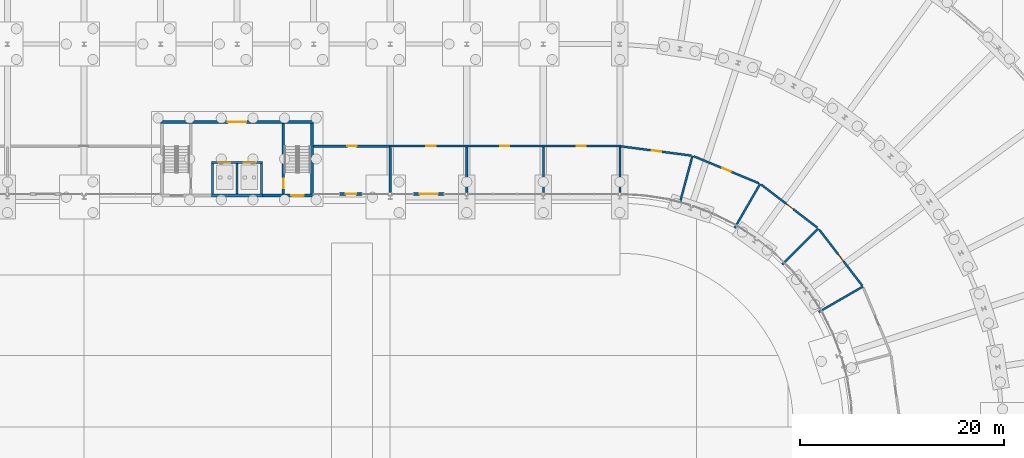
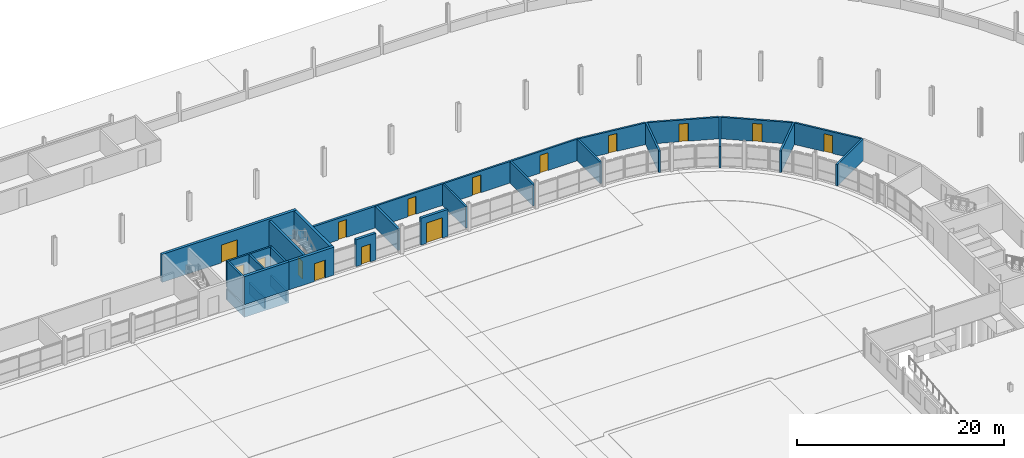
# One storey, part 91 of 130: 30 walls, 15 doors, 15 openings.
"""IFC4 building model written with IfcOpenShell, lengths in metres."""

from ifc_helpers import new_model, si_unit, direction, frame, frame_2d, origin, place, context, subcontext, project, spatial, rectangle, extrude, material, layer, layer_set, type_object, element, fill, save


model = new_model("IFC4")

# Units and contexts
model_context = context("Model", 3, precision=1e-05, world=origin(), true_north=direction((0.0, 1.0)))
body_context = subcontext(model_context, "Body", "Model", "MODEL_VIEW")
ifc_project = project(units=[si_unit("LENGTHUNIT", "METRE"), si_unit("AREAUNIT", "SQUARE_METRE"), si_unit("VOLUMEUNIT", "CUBIC_METRE"), si_unit("PLANEANGLEUNIT", "RADIAN"), si_unit("MASSUNIT", "GRAM", prefix="KILO")], contexts=[model_context])

# Site, building, storey
site_placement = place(None, origin())
site = spatial("IfcSite", under=ifc_project, at=site_placement, CompositionType="ELEMENT")
building_placement = place(site_placement, origin())
building = spatial("IfcBuilding", under=site, at=building_placement, Name="Parallax Yard Mobility Hub", CompositionType="ELEMENT")
storey_placement = place(building_placement, origin())
storey = spatial("IfcBuildingStorey", under=building, at=storey_placement, Name="L00", CompositionType="ELEMENT", Elevation=0.0)

# Wall, opening, door
ifc_material_1 = material(Name="Concrete fc' 35 MPa", Category="concrete")
ifc_layer_1 = layer(ifc_material_1, 0.300048828125)
ifc_layer_set_1 = layer_set([ifc_layer_1], Name="Concrete fc' 35 MPa core wall 300")
wall_type_1 = type_object("IfcWallType", Name="Concrete fc' 35 MPa core wall 300", PredefinedType="SHEAR", material=ifc_layer_set_1)
wall_1_placement = place(storey_placement, frame((127.5, 119.85009765625, 0.0), z_axis=(0.0, 0.0, 1.0), x_axis=(1.0, 0.0, 0.0)))
wall_1 = element("IfcWall", 1, at=wall_1_placement, inside=storey, type_object=wall_type_1, Name="Core C-N2 entry wall level L00", PredefinedType="SHEAR", context=body_context, shape_type="SweptSolid", body=[
    extrude(rectangle(XDim=15.0, YDim=0.300048828125, at=frame_2d((7.5, 0.0))), origin(), (0.0, 0.0, 1.0), 3.300048828125),
])
opening_1_placement = place(wall_1_placement, frame((6.60009765625, 0.0, 0.0)))
opening_1 = element("IfcOpeningElement", 2, at=opening_1_placement, cuts=wall_1, Name="Opening L00-D718", PredefinedType="OPENING", context=body_context, shape_type="SweptSolid", body=[
    extrude(rectangle(XDim=1.800048828125, YDim=2.10009765625, at=frame_2d((0.89990234375, 1.050048828125))), frame((0.0, 0.16015625, 0.0), z_axis=(0.0, -1.0, 0.0), x_axis=(1.0, 0.0, 0.0)), (0.0, 0.0, 1.0), 0.320068359375),
])
ifc_material_2 = material(Name="Hollow metal steel door and frame", Category="steel")
door_type_1 = type_object("IfcDoorType", Name="Core double door 1800 x 2100 FD90", OperationType="NOTDEFINED", PredefinedType="DOOR", material=ifc_material_2)
door_1_placement = place(opening_1_placement, origin())
door_1 = element("IfcDoor", 3, at=door_1_placement, inside=storey, type_object=door_type_1, Name="Lift lobby door L00-D718, core C-N2 level L00", OperationType="DOUBLE_DOOR_SINGLE_SWING", OverallHeight=2.10009765625, OverallWidth=1.800048828125, PredefinedType="DOOR", context=body_context, shape_type="SweptSolid", body=[
    extrude(rectangle(XDim=1.800048828125, YDim=2.10009765625, at=frame_2d((0.89990234375, 1.050048828125))), frame((0.0, 0.02490234375, 0.0), z_axis=(0.0, -1.0, 0.0), x_axis=(1.0, 0.0, 0.0)), (0.0, 0.0, 1.0), 0.050048828125),
])
fill(opening_1, door_1)

wall_2_placement = place(storey_placement, frame((142.5, 112.64990234375, 0.0), z_axis=(0.0, 0.0, 1.0), x_axis=(-1.0, 0.0, 0.0)))
wall_2 = element("IfcWall", 4, at=wall_2_placement, inside=storey, type_object=wall_type_1, Name="Core C-N2 back wall part 1 level L00", PredefinedType="SHEAR", context=body_context, shape_type="SweptSolid", body=[
    extrude(rectangle(XDim=5.0, YDim=0.300048828125, at=frame_2d((2.5, 0.0))), origin(), (0.0, 0.0, 1.0), 3.300048828125),
])
opening_2_placement = place(wall_2_placement, frame((0.97509765625, 0.0, 0.0)))
opening_2 = element("IfcOpeningElement", 5, at=opening_2_placement, cuts=wall_2, Name="Opening L00-D723", PredefinedType="OPENING", context=body_context, shape_type="SweptSolid", body=[
    extrude(rectangle(XDim=1.199951171875, YDim=2.10009765625, at=frame_2d((0.60009765625, 1.050048828125))), frame((0.0, 0.16015625, 0.0), z_axis=(0.0, -1.0, 0.0), x_axis=(1.0, 0.0, 0.0)), (0.0, 0.0, 1.0), 0.320068359375),
])
door_type_2 = type_object("IfcDoorType", Name="Core door 1200 x 2100 FD90", OperationType="NOTDEFINED", PredefinedType="DOOR", material=ifc_material_2)
door_2_placement = place(opening_2_placement, origin())
door_2 = element("IfcDoor", 6, at=door_2_placement, inside=storey, type_object=door_type_2, Name="Stair exit door L00-D723, core C-N2 level L00", OperationType="SINGLE_SWING_LEFT", OverallHeight=2.10009765625, OverallWidth=1.199951171875, PredefinedType="DOOR", context=body_context, shape_type="SweptSolid", body=[
    extrude(rectangle(XDim=1.199951171875, YDim=2.10009765625, at=frame_2d((0.60009765625, 1.050048828125))), frame((0.0, 0.02490234375, 0.0), z_axis=(0.0, -1.0, 0.0), x_axis=(1.0, 0.0, 0.0)), (0.0, 0.0, 1.0), 0.050048828125),
])
fill(opening_2, door_2)

# Walls
wall_3_placement = place(storey_placement, frame((137.5, 112.64990234375, 0.0), z_axis=(0.0, 0.0, 1.0), x_axis=(-1.0, 0.0, 0.0)))
element("IfcWall", 7, at=wall_3_placement, inside=storey, type_object=wall_type_1, Name="Core C-N2 back wall part 2 level L00", PredefinedType="SHEAR", context=body_context, shape_type="SweptSolid", body=[
    extrude(rectangle(XDim=5.0, YDim=0.300048828125, at=frame_2d((2.5, 0.0))), origin(), (0.0, 0.0, 1.0), 3.300048828125),
])
wall_4_placement = place(storey_placement, frame((142.35009765625, 119.699951171875, 0.0), z_axis=(0.0, 0.0, 1.0), x_axis=(0.0, -1.0, 0.0)))
element("IfcWall", 8, at=wall_4_placement, inside=storey, type_object=wall_type_1, Name="Core C-N2 west-side end wall level L00", PredefinedType="SHEAR", context=body_context, shape_type="SweptSolid", body=[
    extrude(rectangle(XDim=6.89990234375, YDim=0.300048828125, at=frame_2d((3.449951171875, 0.0))), origin(), (0.0, 0.0, 1.0), 3.300048828125),
])
wall_5_placement = place(storey_placement, frame((137.5, 112.64990234375, -1.5), z_axis=(0.0, 0.0, 1.0), x_axis=(-1.0, 0.0, 0.0)))
element("IfcWall", 9, at=wall_5_placement, inside=storey, type_object=wall_type_1, Name="Core C-N2 lift pit wall back (shaft group 1)", PredefinedType="SHEAR", context=body_context, shape_type="SweptSolid", body=[
    extrude(rectangle(XDim=5.0, YDim=0.300048828125, at=frame_2d((2.5, 0.0))), origin(), (0.0, 0.0, 1.0), 1.300048828125),
])

# Wall, openings, doors
ifc_layer_2 = layer(ifc_material_1, 0.199951171875)
ifc_layer_set_2 = layer_set([ifc_layer_2], Name="Concrete fc' 35 MPa internal core wall 200")
wall_type_2 = type_object("IfcWallType", Name="Concrete fc' 35 MPa internal core wall 200", PredefinedType="STANDARD", material=ifc_layer_set_2)
wall_6_placement = place(storey_placement, frame((137.5, 115.89990234375, 0.0), z_axis=(0.0, 0.0, 1.0), x_axis=(-1.0, 0.0, 0.0)))
wall_6 = element("IfcWall", 10, at=wall_6_placement, inside=storey, type_object=wall_type_2, Name="Core C-N2 lift front 2 part 2 level L00", PredefinedType="STANDARD", context=body_context, shape_type="SweptSolid", body=[
    extrude(rectangle(XDim=5.0, YDim=0.199951171875, at=frame_2d((2.5, 0.0))), origin(), (0.0, 0.0, 1.0), 3.10009765625),
])
opening_3_placement = place(wall_6_placement, frame((0.75, 0.0, 0.0)))
opening_3 = element("IfcOpeningElement", 11, at=opening_3_placement, cuts=wall_6, Name="Opening L00-D721", PredefinedType="OPENING", context=body_context, shape_type="SweptSolid", body=[
    extrude(rectangle(XDim=1.10009765625, YDim=2.10009765625, at=frame_2d((0.550048828125, 1.050048828125))), frame((0.0, 0.10986328125, 0.0), z_axis=(0.0, -1.0, 0.0), x_axis=(1.0, 0.0, 0.0)), (0.0, 0.0, 1.0), 0.219970703125),
])
opening_4_placement = place(wall_6_placement, frame((3.14990234375, 0.0, 0.0)))
opening_4 = element("IfcOpeningElement", 12, at=opening_4_placement, cuts=wall_6, Name="Opening L00-D722", PredefinedType="OPENING", context=body_context, shape_type="SweptSolid", body=[
    extrude(rectangle(XDim=1.10009765625, YDim=2.10009765625, at=frame_2d((0.550048828125, 1.050048828125))), frame((0.0, 0.10986328125, 0.0), z_axis=(0.0, -1.0, 0.0), x_axis=(1.0, 0.0, 0.0)), (0.0, 0.0, 1.0), 0.219970703125),
])
ifc_material_3 = material(Name="Stainless steel sliding door and frame", Category="steel")
door_type_3 = type_object("IfcDoorType", Name="Lift landing door 1100 x 2100 FD90", OperationType="DOUBLE_DOOR_SLIDING", PredefinedType="DOOR", material=ifc_material_3)
door_3_placement = place(opening_3_placement, origin())
door_3 = element("IfcDoor", 13, at=door_3_placement, inside=storey, type_object=door_type_3, Name="Lift landing door L00-D721, core C-N2 level L00", OperationType="DOUBLE_DOOR_SLIDING", OverallHeight=2.10009765625, OverallWidth=1.10009765625, PredefinedType="DOOR", context=body_context, shape_type="SweptSolid", body=[
    extrude(rectangle(XDim=1.10009765625, YDim=2.10009765625, at=frame_2d((0.550048828125, 1.050048828125))), frame((0.0, 0.02490234375, 0.0), z_axis=(0.0, -1.0, 0.0), x_axis=(1.0, 0.0, 0.0)), (0.0, 0.0, 1.0), 0.050048828125),
])
fill(opening_3, door_3)
door_4_placement = place(opening_4_placement, origin())
door_4 = element("IfcDoor", 14, at=door_4_placement, inside=storey, type_object=door_type_3, Name="Lift landing door L00-D722, core C-N2 level L00", OperationType="DOUBLE_DOOR_SLIDING", OverallHeight=2.10009765625, OverallWidth=1.10009765625, PredefinedType="DOOR", context=body_context, shape_type="SweptSolid", body=[
    extrude(rectangle(XDim=1.10009765625, YDim=2.10009765625, at=frame_2d((0.550048828125, 1.050048828125))), frame((0.0, 0.02490234375, 0.0), z_axis=(0.0, -1.0, 0.0), x_axis=(1.0, 0.0, 0.0)), (0.0, 0.0, 1.0), 0.050048828125),
])
fill(opening_4, door_4)

# Walls
for number, where, z_axis, x_axis, name in (
    (15, (137.39990234375, 115.800048828125, 0.0), (0.0, 0.0, 1.0), (0.0, -1.0, 0.0), "Core C-N2 lift wall 1 part 1 level L00"),
    (16, (135.0, 115.800048828125, 0.0), (0.0, 0.0, 1.0), (0.0, -1.0, 0.0), "Core C-N2 lift wall 2 part 2 level L00"),
    (17, (132.60009765625, 115.800048828125, 0.0), (0.0, 0.0, 1.0), (0.0, -1.0, 0.0), "Core C-N2 lift wall 3 part 3 level L00"),
):
    element("IfcWall", number, at=place(storey_placement, frame(where, z_axis=z_axis, x_axis=x_axis)), inside=storey, type_object=wall_type_2, Name=name, PredefinedType="STANDARD", context=body_context, shape_type="SweptSolid", body=[
        extrude(rectangle(XDim=3.0, YDim=0.199951171875, at=frame_2d((1.5, 0.0))), origin(), (0.0, 0.0, 1.0), 3.10009765625),
    ])
wall_7_placement = place(storey_placement, frame((137.5, 115.89990234375, -1.5), z_axis=(0.0, 0.0, 1.0), x_axis=(-1.0, 0.0, 0.0)))
element("IfcWall", 18, at=wall_7_placement, inside=storey, type_object=wall_type_2, Name="Core C-N2 lift pit wall front (shaft group 1)", PredefinedType="STANDARD", context=body_context, shape_type="SweptSolid", body=[
    extrude(rectangle(XDim=5.0, YDim=0.199951171875, at=frame_2d((2.5, 0.0))), origin(), (0.0, 0.0, 1.0), 1.300048828125),
])
for number, where, z_axis, x_axis, name in (
    (19, (137.39990234375, 115.800048828125, -1.5), (0.0, 0.0, 1.0), (0.0, -1.0, 0.0), "Core C-N2 lift pit wall side 1 (shaft group 1)"),
    (20, (135.0, 115.800048828125, -1.5), (0.0, 0.0, 1.0), (0.0, -1.0, 0.0), "Core C-N2 lift pit wall side 2 (shaft group 1)"),
    (21, (132.60009765625, 115.800048828125, -1.5), (0.0, 0.0, 1.0), (0.0, -1.0, 0.0), "Core C-N2 lift pit wall side 3 (shaft group 1)"),
):
    element("IfcWall", number, at=place(storey_placement, frame(where, z_axis=z_axis, x_axis=x_axis)), inside=storey, type_object=wall_type_2, Name=name, PredefinedType="STANDARD", context=body_context, shape_type="SweptSolid", body=[
        extrude(rectangle(XDim=3.0, YDim=0.199951171875, at=frame_2d((1.5, 0.0))), origin(), (0.0, 0.0, 1.0), 1.300048828125),
    ])

# Wall, opening, door
ifc_layer_3 = layer(ifc_material_1, 0.25)
ifc_layer_set_3 = layer_set([ifc_layer_3], Name="Concrete fc' 35 MPa stair enclosure wall 250")
wall_type_3 = type_object("IfcWallType", Name="Concrete fc' 35 MPa stair enclosure wall 250", PredefinedType="STANDARD", material=ifc_layer_set_3)
wall_8_placement = place(storey_placement, frame((139.52490234375, 119.699951171875, 0.0), z_axis=(0.0, 0.0, 1.0), x_axis=(0.0, -1.0, 0.0)))
wall_8 = element("IfcWall", 22, at=wall_8_placement, inside=storey, type_object=wall_type_3, Name="Core C-N2 stair 1 partition level L00", PredefinedType="STANDARD", context=body_context, shape_type="SweptSolid", body=[
    extrude(rectangle(XDim=6.89990234375, YDim=0.25, at=frame_2d((3.449951171875, 0.0))), origin(), (0.0, 0.0, 1.0), 3.10009765625),
])
opening_5_placement = place(wall_8_placement, frame((5.39990234375, 0.0, 0.0)))
opening_5 = element("IfcOpeningElement", 23, at=opening_5_placement, cuts=wall_8, Name="Opening L00-D719", PredefinedType="OPENING", context=body_context, shape_type="SweptSolid", body=[
    extrude(rectangle(XDim=0.89990234375, YDim=2.10009765625, at=frame_2d((0.449951171875, 1.050048828125))), frame((0.0, 0.135009765625, 0.0), z_axis=(0.0, -1.0, 0.0), x_axis=(1.0, 0.0, 0.0)), (0.0, 0.0, 1.0), 0.27001953125),
])
door_type_4 = type_object("IfcDoorType", Name="Core door 900 x 2100 FD90", OperationType="NOTDEFINED", PredefinedType="DOOR", material=ifc_material_2)
door_5_placement = place(opening_5_placement, origin())
door_5 = element("IfcDoor", 24, at=door_5_placement, inside=storey, type_object=door_type_4, Name="Stair lobby door L00-D719, core C-N2 level L00", OperationType="SINGLE_SWING_LEFT", OverallHeight=2.10009765625, OverallWidth=0.89990234375, PredefinedType="DOOR", context=body_context, shape_type="SweptSolid", body=[
    extrude(rectangle(XDim=0.89990234375, YDim=2.10009765625, at=frame_2d((0.449951171875, 1.050048828125))), frame((0.0, 0.02490234375, 0.0), z_axis=(0.0, -1.0, 0.0), x_axis=(1.0, 0.0, 0.0)), (0.0, 0.0, 1.0), 0.050048828125),
])
fill(opening_5, door_5)

ifc_layer_4 = layer(ifc_material_1, 0.300048828125)
ifc_layer_set_4 = layer_set([ifc_layer_4], Name="Entrance portal wall, Concrete fc' 35 MPa precast, 300")
wall_type_4 = type_object("IfcWallType", Name="Entrance portal wall, Concrete fc' 35 MPa precast, 300", PredefinedType="SOLIDWALL", material=ifc_layer_set_4)
wall_9_placement = place(storey_placement, frame((145.053955078125, 112.800048828125, 0.0), z_axis=(0.0, 0.0, 1.0), x_axis=(1.0, 0.0, 0.0)))
wall_9 = element("IfcWall", 25, at=wall_9_placement, inside=storey, type_object=wall_type_4, Name="Staff entrance portal wall bay 14 level L00", PredefinedType="SOLIDWALL", context=body_context, shape_type="SweptSolid", body=[
    extrude(rectangle(XDim=2.199951171875, YDim=0.300048828125, at=frame_2d((1.10009765625, 0.0))), origin(), (0.0, 0.0, 1.0), 3.159912109375),
])
opening_6_placement = place(wall_9_placement, frame((0.60009765625, 0.0, 0.0)))
opening_6 = element("IfcOpeningElement", 26, at=opening_6_placement, cuts=wall_9, Name="Opening L00-D007", PredefinedType="OPENING", context=body_context, shape_type="SweptSolid", body=[
    extrude(rectangle(XDim=1.0, YDim=2.10009765625, at=frame_2d((0.5, 1.050048828125))), frame((0.0, 0.16015625, 0.0), z_axis=(0.0, -1.0, 0.0), x_axis=(1.0, 0.0, 0.0)), (0.0, 0.0, 1.0), 0.320068359375),
])
ifc_material_4 = material(Name="Aluminium framed glazed door", Category="aluminium")
door_type_5 = type_object("IfcDoorType", Name="Staff entrance door, single leaf 1000 x 2100", OperationType="NOTDEFINED", PredefinedType="DOOR", material=ifc_material_4)
door_6_placement = place(opening_6_placement, origin())
door_6 = element("IfcDoor", 27, at=door_6_placement, inside=storey, type_object=door_type_5, Name="Staff entrance door L00-D007", OperationType="SINGLE_SWING_RIGHT", OverallHeight=2.10009765625, OverallWidth=1.0, PredefinedType="DOOR", context=body_context, shape_type="SweptSolid", body=[
    extrude(rectangle(XDim=1.0, YDim=2.10009765625, at=frame_2d((0.5, 1.050048828125))), frame((0.0, 0.02490234375, 0.0), z_axis=(0.0, -1.0, 0.0), x_axis=(1.0, 0.0, 0.0)), (0.0, 0.0, 1.0), 0.050048828125),
])
fill(opening_6, door_6)

wall_10_placement = place(storey_placement, frame((152.271728515625, 112.800048828125, 0.0), z_axis=(0.0, 0.0, 1.0), x_axis=(1.0, 0.0, 0.0)))
wall_10 = element("IfcWall", 28, at=wall_10_placement, inside=storey, type_object=wall_type_4, Name="Entrance portal wall bay 15 level L00", PredefinedType="SOLIDWALL", context=body_context, shape_type="SweptSolid", body=[
    extrude(rectangle(XDim=3.0, YDim=0.300048828125, at=frame_2d((1.5, 0.0))), origin(), (0.0, 0.0, 1.0), 3.159912109375),
])
opening_7_placement = place(wall_10_placement, frame((0.60009765625, 0.0, 0.0)))
opening_7 = element("IfcOpeningElement", 29, at=opening_7_placement, cuts=wall_10, Name="Opening L00-D008", PredefinedType="OPENING", context=body_context, shape_type="SweptSolid", body=[
    extrude(rectangle(XDim=1.800048828125, YDim=2.39990234375, at=frame_2d((0.89990234375, 1.199951171875))), frame((0.0, 0.16015625, 0.0), z_axis=(0.0, -1.0, 0.0), x_axis=(1.0, 0.0, 0.0)), (0.0, 0.0, 1.0), 0.320068359375),
])
door_type_6 = type_object("IfcDoorType", Name="Entrance door, double leaf swing 1800 x 2400", OperationType="DOUBLE_DOOR_DOUBLE_SWING", PredefinedType="DOOR", material=ifc_material_4)
door_7_placement = place(opening_7_placement, origin())
door_7 = element("IfcDoor", 30, at=door_7_placement, inside=storey, type_object=door_type_6, Name="Entrance door L00-D008", OperationType="DOUBLE_DOOR_DOUBLE_SWING", OverallHeight=2.39990234375, OverallWidth=1.800048828125, PredefinedType="DOOR", context=body_context, shape_type="SweptSolid", body=[
    extrude(rectangle(XDim=1.800048828125, YDim=2.39990234375, at=frame_2d((0.89990234375, 1.199951171875))), frame((0.0, 0.02490234375, 0.0), z_axis=(0.0, -1.0, 0.0), x_axis=(1.0, 0.0, 0.0)), (0.0, 0.0, 1.0), 0.050048828125),
])
fill(opening_7, door_7)

# Wall, openings, doors
ifc_material_5 = material(Name="Fire-rated plasterboard partition, two layers each side")
ifc_layer_5 = layer(ifc_material_5, 0.199951171875)
ifc_layer_set_5 = layer_set([ifc_layer_5], Name="Fire-rated partition 200 mm")
wall_type_5 = type_object("IfcWallType", Name="Fire-rated partition 200 mm", PredefinedType="PARTITIONING", material=ifc_layer_set_5)
wall_11_placement = place(storey_placement, frame((150.0, 117.5, 0.0), z_axis=(0.0, 0.0, 1.0), x_axis=(1.0, 0.0, 0.0)))
wall_11 = element("IfcWall", 31, at=wall_11_placement, inside=storey, type_object=wall_type_5, Name="Partition 44 level L00", PredefinedType="PARTITIONING", context=body_context, shape_type="SweptSolid", body=[
    extrude(rectangle(XDim=22.60009765625, YDim=0.199951171875, at=frame_2d((11.300048828125, 0.0))), origin(), (0.0, 0.0, 1.0), 2.548095703125),
])
opening_8_placement = place(wall_11_placement, frame((3.550048828125, 0.0, 0.0)))
opening_8 = element("IfcOpeningElement", 32, at=opening_8_placement, cuts=wall_11, Name="Opening L00-D248", PredefinedType="OPENING", context=body_context, shape_type="SweptSolid", body=[
    extrude(rectangle(XDim=0.89990234375, YDim=2.10009765625, at=frame_2d((0.449951171875, 1.050048828125))), frame((0.0, 0.10986328125, 0.0), z_axis=(0.0, -1.0, 0.0), x_axis=(1.0, 0.0, 0.0)), (0.0, 0.0, 1.0), 0.219970703125),
])
opening_9_placement = place(wall_11_placement, frame((10.775146484375, 0.0, 0.0)))
opening_9 = element("IfcOpeningElement", 33, at=opening_9_placement, cuts=wall_11, Name="Opening L00-D249", PredefinedType="OPENING", context=body_context, shape_type="SweptSolid", body=[
    extrude(rectangle(XDim=0.89990234375, YDim=2.10009765625, at=frame_2d((0.449951171875, 1.050048828125))), frame((0.0, 0.10986328125, 0.0), z_axis=(0.0, -1.0, 0.0), x_axis=(1.0, 0.0, 0.0)), (0.0, 0.0, 1.0), 0.219970703125),
])
opening_10_placement = place(wall_11_placement, frame((18.275146484375, 0.0, 0.0)))
opening_10 = element("IfcOpeningElement", 34, at=opening_10_placement, cuts=wall_11, Name="Opening L00-D250", PredefinedType="OPENING", context=body_context, shape_type="SweptSolid", body=[
    extrude(rectangle(XDim=0.89990234375, YDim=2.10009765625, at=frame_2d((0.449951171875, 1.050048828125))), frame((0.0, 0.10986328125, 0.0), z_axis=(0.0, -1.0, 0.0), x_axis=(1.0, 0.0, 0.0)), (0.0, 0.0, 1.0), 0.219970703125),
])
ifc_material_6 = material(Name="Hollow metal fire door leaf with intumescent seals")
door_type_7 = type_object("IfcDoorType", Name="Fire door 900 mm FD60", OperationType="NOTDEFINED", PredefinedType="DOOR", material=ifc_material_6)
door_8_placement = place(opening_8_placement, origin())
door_8 = element("IfcDoor", 35, at=door_8_placement, inside=storey, type_object=door_type_7, Name="Door L00-D248 Operator Office", OperationType="SINGLE_SWING_LEFT", OverallHeight=2.10009765625, OverallWidth=0.89990234375, PredefinedType="DOOR", context=body_context, shape_type="SweptSolid", body=[
    extrude(rectangle(XDim=0.89990234375, YDim=2.10009765625, at=frame_2d((0.449951171875, 1.050048828125))), frame((0.0, 0.02490234375, 0.0), z_axis=(0.0, -1.0, 0.0), x_axis=(1.0, 0.0, 0.0)), (0.0, 0.0, 1.0), 0.050048828125),
])
fill(opening_8, door_8)
door_9_placement = place(opening_9_placement, origin())
door_9 = element("IfcDoor", 36, at=door_9_placement, inside=storey, type_object=door_type_7, Name="Door L00-D249 Driver Rest Room", OperationType="SINGLE_SWING_LEFT", OverallHeight=2.10009765625, OverallWidth=0.89990234375, PredefinedType="DOOR", context=body_context, shape_type="SweptSolid", body=[
    extrude(rectangle(XDim=0.89990234375, YDim=2.10009765625, at=frame_2d((0.449951171875, 1.050048828125))), frame((0.0, 0.02490234375, 0.0), z_axis=(0.0, -1.0, 0.0), x_axis=(1.0, 0.0, 0.0)), (0.0, 0.0, 1.0), 0.050048828125),
])
fill(opening_9, door_9)
door_10_placement = place(opening_10_placement, origin())
door_10 = element("IfcDoor", 37, at=door_10_placement, inside=storey, type_object=door_type_7, Name="Door L00-D250 First Aid Room", OperationType="SINGLE_SWING_RIGHT", OverallHeight=2.10009765625, OverallWidth=0.89990234375, PredefinedType="DOOR", context=body_context, shape_type="SweptSolid", body=[
    extrude(rectangle(XDim=0.89990234375, YDim=2.10009765625, at=frame_2d((0.449951171875, 1.050048828125))), frame((0.0, 0.02490234375, 0.0), z_axis=(0.0, -1.0, 0.0), x_axis=(1.0, 0.0, 0.0)), (0.0, 0.0, 1.0), 0.050048828125),
])
fill(opening_10, door_10)

# Wall, opening, door
wall_12_placement = place(storey_placement, frame((172.62890625, 117.48291015625, 0.0), z_axis=(0.0, 0.0, 1.0), x_axis=(0.991450812405, -0.130480981682, 0.0)))
wall_12 = element("IfcWall", 38, at=wall_12_placement, inside=storey, type_object=wall_type_5, Name="Partition 53 level L00", PredefinedType="PARTITIONING", context=body_context, shape_type="SweptSolid", body=[
    extrude(rectangle(XDim=6.919189453125, YDim=0.199951171875, at=frame_2d((3.45947265625, 0.0))), origin(), (0.0, 0.0, 1.0), 2.548095703125),
])
opening_11_placement = place(wall_12_placement, frame((3.050048828125, 0.0, 0.0)))
opening_11 = element("IfcOpeningElement", 39, at=opening_11_placement, cuts=wall_12, Name="Opening L00-D239", PredefinedType="OPENING", context=body_context, shape_type="SweptSolid", body=[
    extrude(rectangle(XDim=0.89990234375, YDim=2.10009765625, at=frame_2d((0.449951171875, 1.050048828125))), frame((0.0, 0.10986328125, 0.0), z_axis=(0.0, -1.0, 0.0), x_axis=(1.0, 0.0, 0.0)), (0.0, 0.0, 1.0), 0.219970703125),
])
door_11_placement = place(opening_11_placement, origin())
door_11 = element("IfcDoor", 40, at=door_11_placement, inside=storey, type_object=door_type_7, Name="Door L00-D239 Taxi Dispatch Office", OperationType="SINGLE_SWING_RIGHT", OverallHeight=2.10009765625, OverallWidth=0.89990234375, PredefinedType="DOOR", context=body_context, shape_type="SweptSolid", body=[
    extrude(rectangle(XDim=0.89990234375, YDim=2.10009765625, at=frame_2d((0.449951171875, 1.050048828125))), frame((0.0, 0.02490234375, 0.0), z_axis=(0.0, -1.0, 0.0), x_axis=(1.0, 0.0, 0.0)), (0.0, 0.0, 1.0), 0.050048828125),
])
fill(opening_11, door_11)

# Wall
wall_13_placement = place(storey_placement, frame((178.322998046875, 111.73291015625, 0.0), z_axis=(0.0, 0.0, 1.0), x_axis=(0.258950830838, 0.965890504772, 0.0)))
element("IfcWall", 41, at=wall_13_placement, inside=storey, type_object=wall_type_5, Name="Partition 54 level L00", PredefinedType="PARTITIONING", context=body_context, shape_type="SweptSolid", body=[
    extrude(rectangle(XDim=5.000732421875, YDim=0.199951171875, at=frame_2d((2.50048828125, 0.0))), origin(), (0.0, 0.0, 1.0), 2.548095703125),
])

# Wall, opening, door
wall_14_placement = place(storey_placement, frame((179.738037109375, 116.51318359375, 0.0), z_axis=(0.0, 0.0, 1.0), x_axis=(0.923886085904, -0.382667610693, 0.0)))
wall_14 = element("IfcWall", 42, at=wall_14_placement, inside=storey, type_object=wall_type_5, Name="Partition 55 level L00", PredefinedType="PARTITIONING", context=body_context, shape_type="SweptSolid", body=[
    extrude(rectangle(XDim=6.91845703125, YDim=0.199951171875, at=frame_2d((3.459228515625, 0.0))), origin(), (0.0, 0.0, 1.0), 2.548095703125),
])
opening_12_placement = place(wall_14_placement, frame((3.050048828125, 0.0, 0.0)))
opening_12 = element("IfcOpeningElement", 43, at=opening_12_placement, cuts=wall_14, Name="Opening L00-D237", PredefinedType="OPENING", context=body_context, shape_type="SweptSolid", body=[
    extrude(rectangle(XDim=0.89990234375, YDim=2.10009765625, at=frame_2d((0.449951171875, 1.050048828125))), frame((0.0, 0.10986328125, 0.0), z_axis=(0.0, -1.0, 0.0), x_axis=(1.0, 0.0, 0.0)), (0.0, 0.0, 1.0), 0.219970703125),
])
door_12_placement = place(opening_12_placement, origin())
door_12 = element("IfcDoor", 44, at=door_12_placement, inside=storey, type_object=door_type_7, Name="Door L00-D237 Car-share Handover Desk", OperationType="SINGLE_SWING_RIGHT", OverallHeight=2.10009765625, OverallWidth=0.89990234375, PredefinedType="DOOR", context=body_context, shape_type="SweptSolid", body=[
    extrude(rectangle(XDim=0.89990234375, YDim=2.10009765625, at=frame_2d((0.449951171875, 1.050048828125))), frame((0.0, 0.02490234375, 0.0), z_axis=(0.0, -1.0, 0.0), x_axis=(1.0, 0.0, 0.0)), (0.0, 0.0, 1.0), 0.050048828125),
])
fill(opening_12, door_12)

# Wall
wall_15_placement = place(storey_placement, frame((183.75, 109.486083984375, 0.0), z_axis=(0.0, 0.0, 1.0), x_axis=(0.50002537861, 0.866010750942, 0.0)))
element("IfcWall", 45, at=wall_15_placement, inside=storey, type_object=wall_type_5, Name="Partition 56 level L00", PredefinedType="PARTITIONING", context=body_context, shape_type="SweptSolid", body=[
    extrude(rectangle(XDim=4.999755859375, YDim=0.199951171875, at=frame_2d((2.5, 0.0))), origin(), (0.0, 0.0, 1.0), 2.548095703125),
])

# Wall, opening, door
wall_16_placement = place(storey_placement, frame((186.35302734375, 113.73681640625, 0.0), z_axis=(0.0, 0.0, 1.0), x_axis=(0.793285942034, -0.608849254061, 0.0)))
wall_16 = element("IfcWall", 46, at=wall_16_placement, inside=storey, type_object=wall_type_5, Name="Partition 57 level L00", PredefinedType="PARTITIONING", context=body_context, shape_type="SweptSolid", body=[
    extrude(rectangle(XDim=6.9189453125, YDim=0.199951171875, at=frame_2d((3.45947265625, 0.0))), origin(), (0.0, 0.0, 1.0), 2.548095703125),
])
opening_13_placement = place(wall_16_placement, frame((3.050048828125, 0.0, 0.0)))
opening_13 = element("IfcOpeningElement", 47, at=opening_13_placement, cuts=wall_16, Name="Opening L00-D236", PredefinedType="OPENING", context=body_context, shape_type="SweptSolid", body=[
    extrude(rectangle(XDim=0.89990234375, YDim=2.10009765625, at=frame_2d((0.449951171875, 1.050048828125))), frame((0.0, 0.10986328125, 0.0), z_axis=(0.0, -1.0, 0.0), x_axis=(1.0, 0.0, 0.0)), (0.0, 0.0, 1.0), 0.219970703125),
])
door_13_placement = place(opening_13_placement, origin())
door_13 = element("IfcDoor", 48, at=door_13_placement, inside=storey, type_object=door_type_7, Name="Door L00-D236 Shared-mobility Station", OperationType="SINGLE_SWING_RIGHT", OverallHeight=2.10009765625, OverallWidth=0.89990234375, PredefinedType="DOOR", context=body_context, shape_type="SweptSolid", body=[
    extrude(rectangle(XDim=0.89990234375, YDim=2.10009765625, at=frame_2d((0.449951171875, 1.050048828125))), frame((0.0, 0.02490234375, 0.0), z_axis=(0.0, -1.0, 0.0), x_axis=(1.0, 0.0, 0.0)), (0.0, 0.0, 1.0), 0.050048828125),
])
fill(opening_13, door_13)

# Wall
wall_17_placement = place(storey_placement, frame((188.409912109375, 105.909912109375, 0.0), z_axis=(0.0, 0.0, 1.0), x_axis=(0.707106781187, 0.707106781187, 0.0)))
element("IfcWall", 49, at=wall_17_placement, inside=storey, type_object=wall_type_5, Name="Partition 58 level L00", PredefinedType="PARTITIONING", context=body_context, shape_type="SweptSolid", body=[
    extrude(rectangle(XDim=4.99951171875, YDim=0.199951171875, at=frame_2d((2.499755859375, 0.0))), origin(), (0.0, 0.0, 1.0), 2.548095703125),
])

# Wall, opening, door
wall_18_placement = place(storey_placement, frame((192.024169921875, 109.341796875, 0.0), z_axis=(0.0, 0.0, 1.0), x_axis=(0.608849254061, -0.793285942034, 0.0)))
wall_18 = element("IfcWall", 50, at=wall_18_placement, inside=storey, type_object=wall_type_5, Name="Partition 59 level L00", PredefinedType="PARTITIONING", context=body_context, shape_type="SweptSolid", body=[
    extrude(rectangle(XDim=6.9189453125, YDim=0.199951171875, at=frame_2d((3.45947265625, 0.0))), origin(), (0.0, 0.0, 1.0), 2.548095703125),
])
opening_14_placement = place(wall_18_placement, frame((3.050048828125, 0.0, 0.0)))
opening_14 = element("IfcOpeningElement", 51, at=opening_14_placement, cuts=wall_18, Name="Opening L00-D235", PredefinedType="OPENING", context=body_context, shape_type="SweptSolid", body=[
    extrude(rectangle(XDim=0.89990234375, YDim=2.10009765625, at=frame_2d((0.449951171875, 1.050048828125))), frame((0.0, 0.10986328125, 0.0), z_axis=(0.0, -1.0, 0.0), x_axis=(1.0, 0.0, 0.0)), (0.0, 0.0, 1.0), 0.219970703125),
])
door_14_placement = place(opening_14_placement, origin())
door_14 = element("IfcDoor", 52, at=door_14_placement, inside=storey, type_object=door_type_7, Name="Door L00-D235 Mobility Service Desk", OperationType="SINGLE_SWING_RIGHT", OverallHeight=2.10009765625, OverallWidth=0.89990234375, PredefinedType="DOOR", context=body_context, shape_type="SweptSolid", body=[
    extrude(rectangle(XDim=0.89990234375, YDim=2.10009765625, at=frame_2d((0.449951171875, 1.050048828125))), frame((0.0, 0.02490234375, 0.0), z_axis=(0.0, -1.0, 0.0), x_axis=(1.0, 0.0, 0.0)), (0.0, 0.0, 1.0), 0.050048828125),
])
fill(opening_14, door_14)

# Walls
wall_19_placement = place(storey_placement, frame((191.986083984375, 101.25, 0.0), z_axis=(0.0, 0.0, 1.0), x_axis=(0.866010750942, 0.50002537861, 0.0)))
element("IfcWall", 53, at=wall_19_placement, inside=storey, type_object=wall_type_5, Name="Partition 60 level L00", PredefinedType="PARTITIONING", context=body_context, shape_type="SweptSolid", body=[
    extrude(rectangle(XDim=4.999755859375, YDim=0.199951171875, at=frame_2d((2.5, 0.0))), origin(), (0.0, 0.0, 1.0), 2.548095703125),
])
for number, where, z_axis, x_axis, name in (
    (54, (157.5, 112.949951171875, 0.0), (0.0, 0.0, 1.0), (0.0, 1.0, 0.0), "Partition 106 level L00"),
    (55, (165.0, 112.949951171875, 0.0), (0.0, 0.0, 1.0), (0.0, 1.0, 0.0), "Partition 111 level L00"),
    (56, (172.5, 112.949951171875, 0.0), (0.0, 0.0, 1.0), (0.0, 1.0, 0.0), "Partition 113 level L00"),
):
    element("IfcWall", number, at=place(storey_placement, frame(where, z_axis=z_axis, x_axis=x_axis)), inside=storey, type_object=wall_type_5, Name=name, PredefinedType="PARTITIONING", context=body_context, shape_type="SweptSolid", body=[
        extrude(rectangle(XDim=4.449951171875, YDim=0.199951171875, at=frame_2d((2.22509765625, 0.0))), origin(), (0.0, 0.0, 1.0), 2.548095703125),
    ])

# Wall, opening, door
ifc_material_7 = material(Name="Fire-rated plasterboard partition, three layers each side")
ifc_layer_6 = layer(ifc_material_7, 0.25)
ifc_layer_set_6 = layer_set([ifc_layer_6], Name="Fire-rated partition 250 mm")
wall_type_6 = type_object("IfcWallType", Name="Fire-rated partition 250 mm", PredefinedType="PARTITIONING", material=ifc_layer_set_6)
wall_20_placement = place(storey_placement, frame((142.5, 117.5, 0.0), z_axis=(0.0, 0.0, 1.0), x_axis=(1.0, 0.0, 0.0)))
wall_20 = element("IfcWall", 57, at=wall_20_placement, inside=storey, type_object=wall_type_6, Name="Partition 43 level L00", PredefinedType="PARTITIONING", context=body_context, shape_type="SweptSolid", body=[
    extrude(rectangle(XDim=7.5, YDim=0.25, at=frame_2d((3.75, 0.0))), origin(), (0.0, 0.0, 1.0), 2.548095703125),
])
opening_15_placement = place(wall_20_placement, frame((3.300048828125, 0.0, 0.0)))
opening_15 = element("IfcOpeningElement", 58, at=opening_15_placement, cuts=wall_20, Name="Opening L00-D247", PredefinedType="OPENING", context=body_context, shape_type="SweptSolid", body=[
    extrude(rectangle(XDim=0.89990234375, YDim=2.10009765625, at=frame_2d((0.449951171875, 1.050048828125))), frame((0.0, 0.135009765625, 0.0), z_axis=(0.0, -1.0, 0.0), x_axis=(1.0, 0.0, 0.0)), (0.0, 0.0, 1.0), 0.27001953125),
])
door_type_8 = type_object("IfcDoorType", Name="Fire door 900 mm FD90", OperationType="NOTDEFINED", PredefinedType="DOOR", material=ifc_material_6)
door_15_placement = place(opening_15_placement, origin())
door_15 = element("IfcDoor", 59, at=door_15_placement, inside=storey, type_object=door_type_8, Name="Door L00-D247 Fire Command Room", OperationType="SINGLE_SWING_RIGHT", OverallHeight=2.10009765625, OverallWidth=0.89990234375, PredefinedType="DOOR", context=body_context, shape_type="SweptSolid", body=[
    extrude(rectangle(XDim=0.89990234375, YDim=2.10009765625, at=frame_2d((0.449951171875, 1.050048828125))), frame((0.0, 0.02490234375, 0.0), z_axis=(0.0, -1.0, 0.0), x_axis=(1.0, 0.0, 0.0)), (0.0, 0.0, 1.0), 0.050048828125),
])
fill(opening_15, door_15)

# Wall
wall_21_placement = place(storey_placement, frame((150.0, 112.949951171875, 0.0), z_axis=(0.0, 0.0, 1.0), x_axis=(0.0, 1.0, 0.0)))
element("IfcWall", 60, at=wall_21_placement, inside=storey, type_object=wall_type_6, Name="Partition 105 level L00", PredefinedType="PARTITIONING", context=body_context, shape_type="SweptSolid", body=[
    extrude(rectangle(XDim=4.425048828125, YDim=0.25, at=frame_2d((2.21240234375, 0.0))), origin(), (0.0, 0.0, 1.0), 2.548095703125),
])

save(model, "model.ifc")
